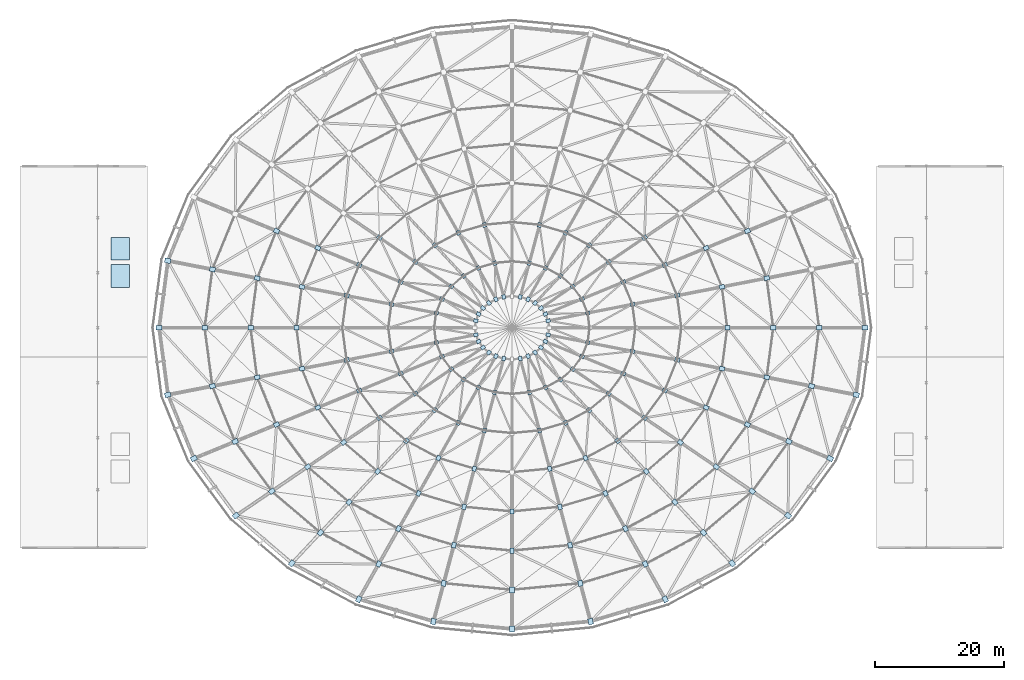
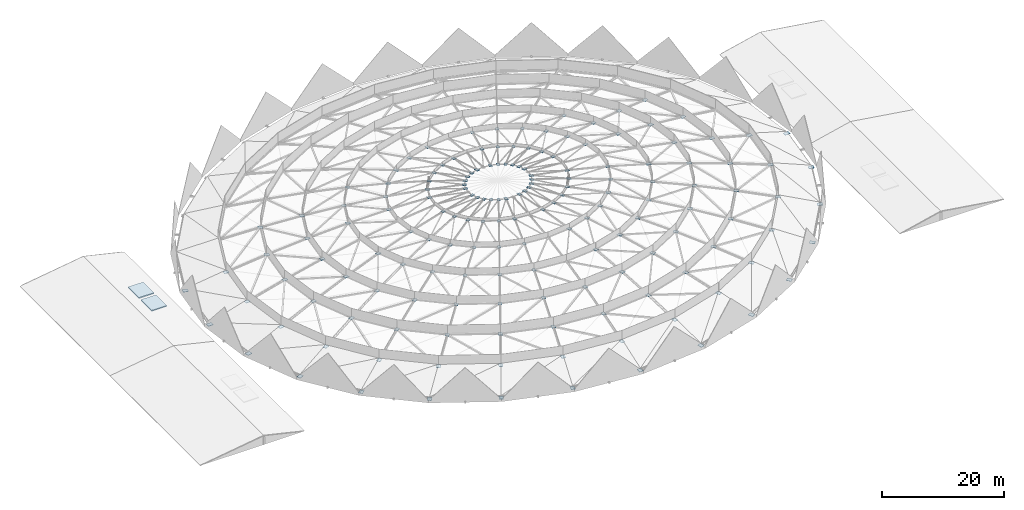
# One storey, part 16 of 27: 160 plates, 2 slabs.
"""IFC4 building model written with IfcOpenShell, lengths in metres."""

from ifc_helpers import new_model, si_unit, direction, frame, origin, origin_2d, place, context, subcontext, project, spatial, polyline, rectangle, outline, extrude, material, layer, layer_set, type_object, element, save


model = new_model("IFC4")

# Units and contexts
model_context = context("Model", 3, precision=1e-05, world=origin(), true_north=direction((0.0, 1.0)))
body_context = subcontext(model_context, "Body", "Model", "MODEL_VIEW")
ifc_project = project(units=[si_unit("LENGTHUNIT", "METRE"), si_unit("AREAUNIT", "SQUARE_METRE"), si_unit("VOLUMEUNIT", "CUBIC_METRE"), si_unit("PLANEANGLEUNIT", "RADIAN"), si_unit("MASSUNIT", "GRAM", prefix="KILO")], contexts=[model_context])

# Site, building, storey
site_placement = place(None, origin())
site = spatial("IfcSite", under=ifc_project, at=site_placement, CompositionType="ELEMENT")
building_placement = place(site_placement, origin())
building = spatial("IfcBuilding", under=site, at=building_placement, Name="Cuetzalor Civic Arena", CompositionType="ELEMENT")
storey_placement = place(building_placement, frame((0.0, 0.0, 31.800048828125)))
storey = spatial("IfcBuildingStorey", under=building, at=storey_placement, Name="Roof", CompositionType="ELEMENT", Elevation=31.800048828125)

# Slabs
ifc_material_1 = material(Name="Concrete C40/50", Category="concrete")
ifc_layer_1 = layer(ifc_material_1, 0.219970703125)
ifc_layer_set_1 = layer_set([ifc_layer_1], Name="Concrete C40/50")
slab_type = type_object("IfcSlabType", Name="LiftShaftRoofCapSlab_220", PredefinedType="ROOF", material=ifc_layer_set_1)
slab_1_placement = place(storey_placement, frame((0.0, 0.0, 1.39990234375)))
element("IfcSlab", 1, at=slab_1_placement, inside=storey, type_object=slab_type, Name="Lift Shaft Overrun Cap Slab LF-02", PredefinedType="ROOF", context=body_context, shape_type="SweptSolid", body=[
    extrude(outline(polyline([(-61.919921875, 6.22998046875), (-59.080078125, 6.22998046875), (-59.080078125, 9.77001953125), (-61.919921875, 9.77001953125), (-61.919921875, 6.22998046875)])), origin(), (0.0, 0.0, 1.0), 0.219970703125),
])
slab_2_placement = place(storey_placement, frame((0.0, 0.0, 1.39990234375)))
element("IfcSlab", 2, at=slab_2_placement, inside=storey, type_object=slab_type, Name="Lift Shaft Overrun Cap Slab LP-04", PredefinedType="ROOF", context=body_context, shape_type="SweptSolid", body=[
    extrude(outline(polyline([(-61.919921875, 10.429931640625), (-59.080078125, 10.429931640625), (-59.080078125, 13.969970703125), (-61.919921875, 13.969970703125), (-61.919921875, 10.429931640625)])), origin(), (0.0, 0.0, 1.0), 0.219970703125),
])

# Plates
ifc_material_2 = material(Name="Steel S355", Category="steel")
ifc_layer_2 = layer(ifc_material_2, 0.06005859375)
ifc_layer_set_2 = layer_set([ifc_layer_2], Name="Steel S355")
plate_type_1 = type_object("IfcPlateType", Name="NodalGussetPlate_GP01", PredefinedType="USERDEFINED", material=ifc_layer_set_2)
for number, where, z_axis, x_axis, name in (
    (3, (54.550048828125, 0.0, -0.030029296875), (0.0, 0.0, 1.0), (1.0, 0.0, 0.0), "Space-Frame Dome Nodal Gusset Hub R0-S01"),
    (4, (-53.182373046875, 10.3583984375, -0.030029296875), (0.0, 0.0, 1.0), (-0.974916814618, 0.222569549971, 0.0), "Space-Frame Dome Nodal Gusset Hub R0-S14"),
    (5, (-54.550048828125, 0.0, -0.030029296875), (0.0, 0.0, 1.0), (-1.0, 0.0, 0.0), "Space-Frame Dome Nodal Gusset Hub R0-S15"),
    (6, (-53.182373046875, -10.3583984375, -0.030029296875), (0.0, 0.0, 1.0), (-0.974916814618, -0.222569549971, 0.0), "Space-Frame Dome Nodal Gusset Hub R0-S16"),
    (7, (-49.14794921875, -20.197265625, -0.030029296875), (0.0, 0.0, 1.0), (-0.90100131981, -0.43381634559, 0.0), "Space-Frame Dome Nodal Gusset Hub R0-S17"),
    (8, (-42.64892578125, -29.0234375, -0.030029296875), (0.0, 0.0, 1.0), (-0.781847027868, -0.623470308046, 0.0), "Space-Frame Dome Nodal Gusset Hub R0-S18"),
    (9, (-34.011474609375, -36.394287109375, -0.030029296875), (0.0, 0.0, 1.0), (-0.623470308046, -0.781847027868, 0.0), "Space-Frame Dome Nodal Gusset Hub R0-S19"),
    (10, (-23.66845703125, -41.940185546875, -0.030029296875), (0.0, 0.0, 1.0), (-0.43381634559, -0.90100131981, 0.0), "Space-Frame Dome Nodal Gusset Hub R0-S20"),
    (11, (-12.138427734375, -45.3828125, -0.030029296875), (0.0, 0.0, 1.0), (-0.222569549971, -0.974916814618, 0.0), "Space-Frame Dome Nodal Gusset Hub R0-S21"),
    (12, (0.0, -46.550048828125, -0.030029296875), (0.0, 0.0, 1.0), (0.0, -1.0, 0.0), "Space-Frame Dome Nodal Gusset Hub R0-S22"),
    (13, (12.138427734375, -45.3828125, -0.030029296875), (0.0, 0.0, 1.0), (0.222569549971, -0.974916814618, 0.0), "Space-Frame Dome Nodal Gusset Hub R0-S23"),
    (14, (23.66845703125, -41.940185546875, -0.030029296875), (0.0, 0.0, 1.0), (0.43381634559, -0.90100131981, 0.0), "Space-Frame Dome Nodal Gusset Hub R0-S24"),
    (15, (34.011474609375, -36.394287109375, -0.030029296875), (0.0, 0.0, 1.0), (0.623470308046, -0.781847027868, 0.0), "Space-Frame Dome Nodal Gusset Hub R0-S25"),
    (16, (42.64892578125, -29.0234375, -0.030029296875), (0.0, 0.0, 1.0), (0.781847027868, -0.623470308046, 0.0), "Space-Frame Dome Nodal Gusset Hub R0-S26"),
    (17, (49.14794921875, -20.197265625, -0.030029296875), (0.0, 0.0, 1.0), (0.90100131981, -0.43381634559, 0.0), "Space-Frame Dome Nodal Gusset Hub R0-S27"),
    (18, (53.182373046875, -10.3583984375, -0.030029296875), (0.0, 0.0, 1.0), (0.974916814618, -0.222569549971, 0.0), "Space-Frame Dome Nodal Gusset Hub R0-S28"),
):
    element("IfcPlate", number, at=place(storey_placement, frame(where, z_axis=z_axis, x_axis=x_axis)), inside=storey, type_object=plate_type_1, Name=name, ObjectType="GUSSET PLATE", PredefinedType="USERDEFINED", context=body_context, shape_type="SweptSolid", body=[
        extrude(rectangle(XDim=0.919921875, YDim=0.739990234375, at=origin_2d()), origin(), (0.0, 0.0, 1.0), 0.06005859375),
    ])
ifc_material_3 = material(Name="Steel S355", Category="steel")
ifc_layer_3 = layer(ifc_material_3, 0.050048828125)
ifc_layer_set_3 = layer_set([ifc_layer_3], Name="Steel S355")
plate_type_2 = type_object("IfcPlateType", Name="NodalGussetPlate_GP02", PredefinedType="USERDEFINED", material=ifc_layer_set_3)
for number, where, z_axis, x_axis, name in (
    (19, (47.45849609375, 0.0, 2.0859375), (0.0, 0.0, 1.0), (1.0, 0.0, 0.0), "Space-Frame Dome Nodal Gusset Hub R1-S01"),
    (20, (-46.2685546875, 9.01171875, 2.0859375), (0.0, 0.0, 1.0), (-0.974916814618, 0.222569549971, 0.0), "Space-Frame Dome Nodal Gusset Hub R1-S14"),
    (21, (-47.45849609375, 0.0, 2.0859375), (0.0, 0.0, 1.0), (-1.0, 0.0, 0.0), "Space-Frame Dome Nodal Gusset Hub R1-S15"),
    (22, (-46.2685546875, -9.01171875, 2.0859375), (0.0, 0.0, 1.0), (-0.974916814618, -0.222569549971, 0.0), "Space-Frame Dome Nodal Gusset Hub R1-S16"),
    (23, (-42.758544921875, -17.571533203125, 2.0859375), (0.0, 0.0, 1.0), (-0.90100131981, -0.43381634559, 0.0), "Space-Frame Dome Nodal Gusset Hub R1-S17"),
    (24, (-37.1044921875, -25.25048828125, 2.0859375), (0.0, 0.0, 1.0), (-0.781847027868, -0.623470308046, 0.0), "Space-Frame Dome Nodal Gusset Hub R1-S18"),
    (25, (-29.58984375, -31.6630859375, 2.0859375), (0.0, 0.0, 1.0), (-0.623470308046, -0.781847027868, 0.0), "Space-Frame Dome Nodal Gusset Hub R1-S19"),
    (26, (-20.591552734375, -36.48779296875, 2.0859375), (0.0, 0.0, 1.0), (-0.43381634559, -0.90100131981, 0.0), "Space-Frame Dome Nodal Gusset Hub R1-S20"),
    (27, (-10.560546875, -39.483154296875, 2.0859375), (0.0, 0.0, 1.0), (-0.222569549971, -0.974916814618, 0.0), "Space-Frame Dome Nodal Gusset Hub R1-S21"),
    (28, (0.0, -40.49853515625, 2.0859375), (0.0, 0.0, 1.0), (0.0, -1.0, 0.0), "Space-Frame Dome Nodal Gusset Hub R1-S22"),
    (29, (10.560546875, -39.483154296875, 2.0859375), (0.0, 0.0, 1.0), (0.222569549971, -0.974916814618, 0.0), "Space-Frame Dome Nodal Gusset Hub R1-S23"),
    (30, (20.591552734375, -36.48779296875, 2.0859375), (0.0, 0.0, 1.0), (0.43381634559, -0.90100131981, 0.0), "Space-Frame Dome Nodal Gusset Hub R1-S24"),
    (31, (29.58984375, -31.6630859375, 2.0859375), (0.0, 0.0, 1.0), (0.623470308046, -0.781847027868, 0.0), "Space-Frame Dome Nodal Gusset Hub R1-S25"),
    (32, (37.1044921875, -25.25048828125, 2.0859375), (0.0, 0.0, 1.0), (0.781847027868, -0.623470308046, 0.0), "Space-Frame Dome Nodal Gusset Hub R1-S26"),
    (33, (42.758544921875, -17.571533203125, 2.0859375), (0.0, 0.0, 1.0), (0.90100131981, -0.43381634559, 0.0), "Space-Frame Dome Nodal Gusset Hub R1-S27"),
    (34, (46.2685546875, -9.01171875, 2.0859375), (0.0, 0.0, 1.0), (0.974916814618, -0.222569549971, 0.0), "Space-Frame Dome Nodal Gusset Hub R1-S28"),
):
    element("IfcPlate", number, at=place(storey_placement, frame(where, z_axis=z_axis, x_axis=x_axis)), inside=storey, type_object=plate_type_2, Name=name, ObjectType="GUSSET PLATE", PredefinedType="USERDEFINED", context=body_context, shape_type="SweptSolid", body=[
        extrude(rectangle(XDim=0.8798828125, YDim=0.699951171875, at=origin_2d()), origin(), (0.0, 0.0, 1.0), 0.050048828125),
    ])
ifc_material_4 = material(Name="Steel S355", Category="steel")
ifc_layer_4 = layer(ifc_material_4, 0.044921875)
ifc_layer_set_4 = layer_set([ifc_layer_4], Name="Steel S355")
plate_type_3 = type_object("IfcPlateType", Name="NodalGussetPlate_GP03", PredefinedType="USERDEFINED", material=ifc_layer_set_4)
for number, where, z_axis, x_axis, name in (
    (35, (40.366943359375, 0.0, 3.982177734375), (0.0, 0.0, 1.0), (1.0, 0.0, 0.0), "Space-Frame Dome Nodal Gusset Hub R2-S01"),
    (36, (39.35498046875, 7.665283203125, 3.982177734375), (0.0, 0.0, 1.0), (0.974916814618, 0.222569549971, 0.0), "Space-Frame Dome Nodal Gusset Hub R2-S02"),
    (37, (36.369384765625, 14.946044921875, 3.982177734375), (0.0, 0.0, 1.0), (0.90100131981, 0.43381634559, 0.0), "Space-Frame Dome Nodal Gusset Hub R2-S03"),
    (38, (-36.369384765625, 14.946044921875, 3.982177734375), (0.0, 0.0, 1.0), (-0.90100131981, 0.43381634559, 0.0), "Space-Frame Dome Nodal Gusset Hub R2-S13"),
    (39, (-39.35498046875, 7.665283203125, 3.982177734375), (0.0, 0.0, 1.0), (-0.974916814618, 0.222569549971, 0.0), "Space-Frame Dome Nodal Gusset Hub R2-S14"),
    (40, (-40.366943359375, 0.0, 3.982177734375), (0.0, 0.0, 1.0), (-1.0, 0.0, 0.0), "Space-Frame Dome Nodal Gusset Hub R2-S15"),
    (41, (-39.35498046875, -7.665283203125, 3.982177734375), (0.0, 0.0, 1.0), (-0.974916814618, -0.222569549971, 0.0), "Space-Frame Dome Nodal Gusset Hub R2-S16"),
    (42, (-36.369384765625, -14.946044921875, 3.982177734375), (0.0, 0.0, 1.0), (-0.90100131981, -0.43381634559, 0.0), "Space-Frame Dome Nodal Gusset Hub R2-S17"),
    (43, (-31.560302734375, -21.477294921875, 3.982177734375), (0.0, 0.0, 1.0), (-0.781847027868, -0.623470308046, 0.0), "Space-Frame Dome Nodal Gusset Hub R2-S18"),
    (44, (-25.16845703125, -26.931640625, 3.982177734375), (0.0, 0.0, 1.0), (-0.623470308046, -0.781847027868, 0.0), "Space-Frame Dome Nodal Gusset Hub R2-S19"),
    (45, (-17.5146484375, -31.03564453125, 3.982177734375), (0.0, 0.0, 1.0), (-0.43381634559, -0.90100131981, 0.0), "Space-Frame Dome Nodal Gusset Hub R2-S20"),
    (46, (-8.982421875, -33.583251953125, 3.982177734375), (0.0, 0.0, 1.0), (-0.222569549971, -0.974916814618, 0.0), "Space-Frame Dome Nodal Gusset Hub R2-S21"),
    (47, (0.0, -34.447021484375, 3.982177734375), (0.0, 0.0, 1.0), (0.0, -1.0, 0.0), "Space-Frame Dome Nodal Gusset Hub R2-S22"),
    (48, (8.982421875, -33.583251953125, 3.982177734375), (0.0, 0.0, 1.0), (0.222569549971, -0.974916814618, 0.0), "Space-Frame Dome Nodal Gusset Hub R2-S23"),
    (49, (17.5146484375, -31.03564453125, 3.982177734375), (0.0, 0.0, 1.0), (0.43381634559, -0.90100131981, 0.0), "Space-Frame Dome Nodal Gusset Hub R2-S24"),
    (50, (25.16845703125, -26.931640625, 3.982177734375), (0.0, 0.0, 1.0), (0.623470308046, -0.781847027868, 0.0), "Space-Frame Dome Nodal Gusset Hub R2-S25"),
    (51, (31.560302734375, -21.477294921875, 3.982177734375), (0.0, 0.0, 1.0), (0.781847027868, -0.623470308046, 0.0), "Space-Frame Dome Nodal Gusset Hub R2-S26"),
    (52, (36.369384765625, -14.946044921875, 3.982177734375), (0.0, 0.0, 1.0), (0.90100131981, -0.43381634559, 0.0), "Space-Frame Dome Nodal Gusset Hub R2-S27"),
    (53, (39.35498046875, -7.665283203125, 3.982177734375), (0.0, 0.0, 1.0), (0.974916814618, -0.222569549971, 0.0), "Space-Frame Dome Nodal Gusset Hub R2-S28"),
):
    element("IfcPlate", number, at=place(storey_placement, frame(where, z_axis=z_axis, x_axis=x_axis)), inside=storey, type_object=plate_type_3, Name=name, ObjectType="GUSSET PLATE", PredefinedType="USERDEFINED", context=body_context, shape_type="SweptSolid", body=[
        extrude(rectangle(XDim=0.840087890625, YDim=0.659912109375, at=origin_2d()), origin(), (0.0, 0.0, 1.0), 0.044921875),
    ])
ifc_material_5 = material(Name="Steel S355", Category="steel")
ifc_layer_5 = layer(ifc_material_5, 0.0400390625)
ifc_layer_set_5 = layer_set([ifc_layer_5], Name="Steel S355")
plate_type_4 = type_object("IfcPlateType", Name="NodalGussetPlate_GP04", PredefinedType="USERDEFINED", material=ifc_layer_set_5)
for number, where, z_axis, x_axis, name in (
    (54, (33.275390625, 0.0, 5.646484375), (0.0, 0.0, 1.0), (1.0, 0.0, 0.0), "Space-Frame Dome Nodal Gusset Hub R3-S01"),
    (55, (32.441162109375, 6.318603515625, 5.646484375), (0.0, 0.0, 1.0), (0.974916814618, 0.222569549971, 0.0), "Space-Frame Dome Nodal Gusset Hub R3-S02"),
    (56, (29.980224609375, 12.3203125, 5.646484375), (0.0, 0.0, 1.0), (0.90100131981, 0.43381634559, 0.0), "Space-Frame Dome Nodal Gusset Hub R3-S03"),
    (57, (-29.980224609375, 12.3203125, 5.646484375), (0.0, 0.0, 1.0), (-0.90100131981, 0.43381634559, 0.0), "Space-Frame Dome Nodal Gusset Hub R3-S13"),
    (58, (-32.441162109375, 6.318603515625, 5.646484375), (0.0, 0.0, 1.0), (-0.974916814618, 0.222569549971, 0.0), "Space-Frame Dome Nodal Gusset Hub R3-S14"),
    (59, (-33.275390625, 0.0, 5.646484375), (0.0, 0.0, 1.0), (-1.0, 0.0, 0.0), "Space-Frame Dome Nodal Gusset Hub R3-S15"),
    (60, (-32.441162109375, -6.318603515625, 5.646484375), (0.0, 0.0, 1.0), (-0.974916814618, -0.222569549971, 0.0), "Space-Frame Dome Nodal Gusset Hub R3-S16"),
    (61, (-29.980224609375, -12.3203125, 5.646484375), (0.0, 0.0, 1.0), (-0.90100131981, -0.43381634559, 0.0), "Space-Frame Dome Nodal Gusset Hub R3-S17"),
    (62, (-26.015869140625, -17.704345703125, 5.646484375), (0.0, 0.0, 1.0), (-0.781847027868, -0.623470308046, 0.0), "Space-Frame Dome Nodal Gusset Hub R3-S18"),
    (63, (-20.746826171875, -22.200439453125, 5.646484375), (0.0, 0.0, 1.0), (-0.623470308046, -0.781847027868, 0.0), "Space-Frame Dome Nodal Gusset Hub R3-S19"),
    (64, (-14.437744140625, -25.58349609375, 5.646484375), (0.0, 0.0, 1.0), (-0.43381634559, -0.90100131981, 0.0), "Space-Frame Dome Nodal Gusset Hub R3-S20"),
    (65, (-7.404541015625, -27.68359375, 5.646484375), (0.0, 0.0, 1.0), (-0.222569549971, -0.974916814618, 0.0), "Space-Frame Dome Nodal Gusset Hub R3-S21"),
    (66, (0.0, -28.3955078125, 5.646484375), (0.0, 0.0, 1.0), (0.0, -1.0, 0.0), "Space-Frame Dome Nodal Gusset Hub R3-S22"),
    (67, (7.404541015625, -27.68359375, 5.646484375), (0.0, 0.0, 1.0), (0.222569549971, -0.974916814618, 0.0), "Space-Frame Dome Nodal Gusset Hub R3-S23"),
    (68, (14.437744140625, -25.58349609375, 5.646484375), (0.0, 0.0, 1.0), (0.43381634559, -0.90100131981, 0.0), "Space-Frame Dome Nodal Gusset Hub R3-S24"),
    (69, (20.746826171875, -22.200439453125, 5.646484375), (0.0, 0.0, 1.0), (0.623470308046, -0.781847027868, 0.0), "Space-Frame Dome Nodal Gusset Hub R3-S25"),
    (70, (26.015869140625, -17.704345703125, 5.646484375), (0.0, 0.0, 1.0), (0.781847027868, -0.623470308046, 0.0), "Space-Frame Dome Nodal Gusset Hub R3-S26"),
    (71, (29.980224609375, -12.3203125, 5.646484375), (0.0, 0.0, 1.0), (0.90100131981, -0.43381634559, 0.0), "Space-Frame Dome Nodal Gusset Hub R3-S27"),
    (72, (32.441162109375, -6.318603515625, 5.646484375), (0.0, 0.0, 1.0), (0.974916814618, -0.222569549971, 0.0), "Space-Frame Dome Nodal Gusset Hub R3-S28"),
):
    element("IfcPlate", number, at=place(storey_placement, frame(where, z_axis=z_axis, x_axis=x_axis)), inside=storey, type_object=plate_type_4, Name=name, ObjectType="GUSSET PLATE", PredefinedType="USERDEFINED", context=body_context, shape_type="SweptSolid", body=[
        extrude(rectangle(XDim=0.800048828125, YDim=0.639892578125, at=origin_2d()), origin(), (0.0, 0.0, 1.0), 0.0400390625),
    ])
ifc_material_6 = material(Name="Steel S355", Category="steel")
ifc_layer_6 = layer(ifc_material_6, 0.034912109375)
ifc_layer_set_6 = layer_set([ifc_layer_6], Name="Steel S355")
plate_type_5 = type_object("IfcPlateType", Name="NodalGussetPlate_GP05", PredefinedType="USERDEFINED", material=ifc_layer_set_6)
for number, where, z_axis, x_axis, name in (
    (73, (25.527587890625, 4.971923828125, 7.06005859375), (0.0, 0.0, 1.0), (0.974916814618, 0.222569549971, 0.0), "Space-Frame Dome Nodal Gusset Hub R4-S02"),
    (74, (23.591064453125, 9.694580078125, 7.06005859375), (0.0, 0.0, 1.0), (0.90100131981, 0.43381634559, 0.0), "Space-Frame Dome Nodal Gusset Hub R4-S03"),
    (75, (20.471435546875, 13.931396484375, 7.06005859375), (0.0, 0.0, 1.0), (0.781847027868, 0.623470308046, 0.0), "Space-Frame Dome Nodal Gusset Hub R4-S04"),
    (76, (-20.471435546875, 13.931396484375, 7.06005859375), (0.0, 0.0, 1.0), (-0.781847027868, 0.623470308046, 0.0), "Space-Frame Dome Nodal Gusset Hub R4-S12"),
    (77, (-23.591064453125, 9.694580078125, 7.06005859375), (0.0, 0.0, 1.0), (-0.90100131981, 0.43381634559, 0.0), "Space-Frame Dome Nodal Gusset Hub R4-S13"),
    (78, (-25.527587890625, 4.971923828125, 7.06005859375), (0.0, 0.0, 1.0), (-0.974916814618, 0.222569549971, 0.0), "Space-Frame Dome Nodal Gusset Hub R4-S14"),
    (79, (-25.527587890625, -4.971923828125, 7.06005859375), (0.0, 0.0, 1.0), (-0.974916814618, -0.222569549971, 0.0), "Space-Frame Dome Nodal Gusset Hub R4-S16"),
    (80, (-23.591064453125, -9.694580078125, 7.06005859375), (0.0, 0.0, 1.0), (-0.90100131981, -0.43381634559, 0.0), "Space-Frame Dome Nodal Gusset Hub R4-S17"),
    (81, (-20.471435546875, -13.931396484375, 7.06005859375), (0.0, 0.0, 1.0), (-0.781847027868, -0.623470308046, 0.0), "Space-Frame Dome Nodal Gusset Hub R4-S18"),
    (82, (-16.325439453125, -17.46923828125, 7.06005859375), (0.0, 0.0, 1.0), (-0.623470308046, -0.781847027868, 0.0), "Space-Frame Dome Nodal Gusset Hub R4-S19"),
    (83, (-11.36083984375, -20.131103515625, 7.06005859375), (0.0, 0.0, 1.0), (-0.43381634559, -0.90100131981, 0.0), "Space-Frame Dome Nodal Gusset Hub R4-S20"),
    (84, (-5.826416015625, -21.78369140625, 7.06005859375), (0.0, 0.0, 1.0), (-0.222569549971, -0.974916814618, 0.0), "Space-Frame Dome Nodal Gusset Hub R4-S21"),
    (85, (5.826416015625, -21.78369140625, 7.06005859375), (0.0, 0.0, 1.0), (0.222569549971, -0.974916814618, 0.0), "Space-Frame Dome Nodal Gusset Hub R4-S23"),
    (86, (11.36083984375, -20.131103515625, 7.06005859375), (0.0, 0.0, 1.0), (0.43381634559, -0.90100131981, 0.0), "Space-Frame Dome Nodal Gusset Hub R4-S24"),
    (87, (16.325439453125, -17.46923828125, 7.06005859375), (0.0, 0.0, 1.0), (0.623470308046, -0.781847027868, 0.0), "Space-Frame Dome Nodal Gusset Hub R4-S25"),
    (88, (20.471435546875, -13.931396484375, 7.06005859375), (0.0, 0.0, 1.0), (0.781847027868, -0.623470308046, 0.0), "Space-Frame Dome Nodal Gusset Hub R4-S26"),
    (89, (23.591064453125, -9.694580078125, 7.06005859375), (0.0, 0.0, 1.0), (0.90100131981, -0.43381634559, 0.0), "Space-Frame Dome Nodal Gusset Hub R4-S27"),
    (90, (25.527587890625, -4.971923828125, 7.06005859375), (0.0, 0.0, 1.0), (0.974916814618, -0.222569549971, 0.0), "Space-Frame Dome Nodal Gusset Hub R4-S28"),
):
    element("IfcPlate", number, at=place(storey_placement, frame(where, z_axis=z_axis, x_axis=x_axis)), inside=storey, type_object=plate_type_5, Name=name, ObjectType="GUSSET PLATE", PredefinedType="USERDEFINED", context=body_context, shape_type="SweptSolid", body=[
        extrude(rectangle(XDim=0.760009765625, YDim=0.60009765625, at=origin_2d()), origin(), (0.0, 0.0, 1.0), 0.034912109375),
    ])
ifc_material_7 = material(Name="Steel S355", Category="steel")
ifc_layer_7 = layer(ifc_material_7, 0.030029296875)
ifc_layer_set_7 = layer_set([ifc_layer_7], Name="Steel S355")
plate_type_6 = type_object("IfcPlateType", Name="NodalGussetPlate_GP06", PredefinedType="USERDEFINED", material=ifc_layer_set_7)
for number, where, z_axis, x_axis, name in (
    (91, (18.61376953125, 3.62548828125, 8.1953125), (0.0, 0.0, 1.0), (0.974916814618, 0.222569549971, 0.0), "Space-Frame Dome Nodal Gusset Hub R5-S02"),
    (92, (17.20166015625, 7.069091796875, 8.1953125), (0.0, 0.0, 1.0), (0.90100131981, 0.43381634559, 0.0), "Space-Frame Dome Nodal Gusset Hub R5-S03"),
    (93, (14.927001953125, 10.158203125, 8.1953125), (0.0, 0.0, 1.0), (0.781847027868, 0.623470308046, 0.0), "Space-Frame Dome Nodal Gusset Hub R5-S04"),
    (94, (11.904052734375, 12.738037109375, 8.1953125), (0.0, 0.0, 1.0), (0.623470308046, 0.781847027868, 0.0), "Space-Frame Dome Nodal Gusset Hub R5-S05"),
    (95, (8.283935546875, 14.678955078125, 8.1953125), (0.0, 0.0, 1.0), (0.43381634559, 0.90100131981, 0.0), "Space-Frame Dome Nodal Gusset Hub R5-S06"),
    (96, (4.24853515625, 15.884033203125, 8.1953125), (0.0, 0.0, 1.0), (0.222569549971, 0.974916814618, 0.0), "Space-Frame Dome Nodal Gusset Hub R5-S07"),
    (97, (-4.24853515625, 15.884033203125, 8.1953125), (0.0, 0.0, 1.0), (-0.222569549971, 0.974916814618, 0.0), "Space-Frame Dome Nodal Gusset Hub R5-S09"),
    (98, (-8.283935546875, 14.678955078125, 8.1953125), (0.0, 0.0, 1.0), (-0.43381634559, 0.90100131981, 0.0), "Space-Frame Dome Nodal Gusset Hub R5-S10"),
    (99, (-11.904052734375, 12.738037109375, 8.1953125), (0.0, 0.0, 1.0), (-0.623470308046, 0.781847027868, 0.0), "Space-Frame Dome Nodal Gusset Hub R5-S11"),
    (100, (-14.927001953125, 10.158203125, 8.1953125), (0.0, 0.0, 1.0), (-0.781847027868, 0.623470308046, 0.0), "Space-Frame Dome Nodal Gusset Hub R5-S12"),
    (101, (-17.20166015625, 7.069091796875, 8.1953125), (0.0, 0.0, 1.0), (-0.90100131981, 0.43381634559, 0.0), "Space-Frame Dome Nodal Gusset Hub R5-S13"),
    (102, (-18.61376953125, 3.62548828125, 8.1953125), (0.0, 0.0, 1.0), (-0.974916814618, 0.222569549971, 0.0), "Space-Frame Dome Nodal Gusset Hub R5-S14"),
    (103, (-18.61376953125, -3.62548828125, 8.1953125), (0.0, 0.0, 1.0), (-0.974916814618, -0.222569549971, 0.0), "Space-Frame Dome Nodal Gusset Hub R5-S16"),
    (104, (-17.20166015625, -7.069091796875, 8.1953125), (0.0, 0.0, 1.0), (-0.90100131981, -0.43381634559, 0.0), "Space-Frame Dome Nodal Gusset Hub R5-S17"),
    (105, (-14.927001953125, -10.158203125, 8.1953125), (0.0, 0.0, 1.0), (-0.781847027868, -0.623470308046, 0.0), "Space-Frame Dome Nodal Gusset Hub R5-S18"),
    (106, (-11.904052734375, -12.738037109375, 8.1953125), (0.0, 0.0, 1.0), (-0.623470308046, -0.781847027868, 0.0), "Space-Frame Dome Nodal Gusset Hub R5-S19"),
    (107, (-8.283935546875, -14.678955078125, 8.1953125), (0.0, 0.0, 1.0), (-0.43381634559, -0.90100131981, 0.0), "Space-Frame Dome Nodal Gusset Hub R5-S20"),
    (108, (-4.24853515625, -15.884033203125, 8.1953125), (0.0, 0.0, 1.0), (-0.222569549971, -0.974916814618, 0.0), "Space-Frame Dome Nodal Gusset Hub R5-S21"),
    (109, (4.24853515625, -15.884033203125, 8.1953125), (0.0, 0.0, 1.0), (0.222569549971, -0.974916814618, 0.0), "Space-Frame Dome Nodal Gusset Hub R5-S23"),
    (110, (8.283935546875, -14.678955078125, 8.1953125), (0.0, 0.0, 1.0), (0.43381634559, -0.90100131981, 0.0), "Space-Frame Dome Nodal Gusset Hub R5-S24"),
    (111, (11.904052734375, -12.738037109375, 8.1953125), (0.0, 0.0, 1.0), (0.623470308046, -0.781847027868, 0.0), "Space-Frame Dome Nodal Gusset Hub R5-S25"),
    (112, (14.927001953125, -10.158203125, 8.1953125), (0.0, 0.0, 1.0), (0.781847027868, -0.623470308046, 0.0), "Space-Frame Dome Nodal Gusset Hub R5-S26"),
    (113, (17.20166015625, -7.069091796875, 8.1953125), (0.0, 0.0, 1.0), (0.90100131981, -0.43381634559, 0.0), "Space-Frame Dome Nodal Gusset Hub R5-S27"),
    (114, (18.61376953125, -3.62548828125, 8.1953125), (0.0, 0.0, 1.0), (0.974916814618, -0.222569549971, 0.0), "Space-Frame Dome Nodal Gusset Hub R5-S28"),
):
    element("IfcPlate", number, at=place(storey_placement, frame(where, z_axis=z_axis, x_axis=x_axis)), inside=storey, type_object=plate_type_6, Name=name, ObjectType="GUSSET PLATE", PredefinedType="USERDEFINED", context=body_context, shape_type="SweptSolid", body=[
        extrude(rectangle(XDim=0.719970703125, YDim=0.56005859375, at=origin_2d()), origin(), (0.0, 0.0, 1.0), 0.030029296875),
    ])
ifc_material_8 = material(Name="Steel S355", Category="steel")
ifc_layer_8 = layer(ifc_material_8, 0.02490234375)
ifc_layer_set_8 = layer_set([ifc_layer_8], Name="Steel S355")
plate_type_7 = type_object("IfcPlateType", Name="NodalGussetPlate_GP07", PredefinedType="USERDEFINED", material=ifc_layer_set_8)
for number, where, z_axis, x_axis, name in (
    (115, (11.7001953125, 2.27880859375, 9.00830078125), (0.0, 0.0, 1.0), (0.974916814618, 0.222569549971, 0.0), "Space-Frame Dome Nodal Gusset Hub R6-S02"),
    (116, (10.8125, 4.443359375, 9.00830078125), (0.0, 0.0, 1.0), (0.90100131981, 0.43381634559, 0.0), "Space-Frame Dome Nodal Gusset Hub R6-S03"),
    (117, (9.3828125, 6.38525390625, 9.00830078125), (0.0, 0.0, 1.0), (0.781847027868, 0.623470308046, 0.0), "Space-Frame Dome Nodal Gusset Hub R6-S04"),
    (118, (7.482421875, 8.006591796875, 9.00830078125), (0.0, 0.0, 1.0), (0.623470308046, 0.781847027868, 0.0), "Space-Frame Dome Nodal Gusset Hub R6-S05"),
    (119, (5.20703125, 9.226806640625, 9.00830078125), (0.0, 0.0, 1.0), (0.43381634559, 0.90100131981, 0.0), "Space-Frame Dome Nodal Gusset Hub R6-S06"),
    (120, (2.67041015625, 9.984130859375, 9.00830078125), (0.0, 0.0, 1.0), (0.222569549971, 0.974916814618, 0.0), "Space-Frame Dome Nodal Gusset Hub R6-S07"),
    (121, (-2.67041015625, 9.984130859375, 9.00830078125), (0.0, 0.0, 1.0), (-0.222569549971, 0.974916814618, 0.0), "Space-Frame Dome Nodal Gusset Hub R6-S09"),
    (122, (-5.20703125, 9.226806640625, 9.00830078125), (0.0, 0.0, 1.0), (-0.43381634559, 0.90100131981, 0.0), "Space-Frame Dome Nodal Gusset Hub R6-S10"),
    (123, (-7.482421875, 8.006591796875, 9.00830078125), (0.0, 0.0, 1.0), (-0.623470308046, 0.781847027868, 0.0), "Space-Frame Dome Nodal Gusset Hub R6-S11"),
    (124, (-9.3828125, 6.38525390625, 9.00830078125), (0.0, 0.0, 1.0), (-0.781847027868, 0.623470308046, 0.0), "Space-Frame Dome Nodal Gusset Hub R6-S12"),
    (125, (-10.8125, 4.443359375, 9.00830078125), (0.0, 0.0, 1.0), (-0.90100131981, 0.43381634559, 0.0), "Space-Frame Dome Nodal Gusset Hub R6-S13"),
    (126, (-11.7001953125, 2.27880859375, 9.00830078125), (0.0, 0.0, 1.0), (-0.974916814618, 0.222569549971, 0.0), "Space-Frame Dome Nodal Gusset Hub R6-S14"),
    (127, (-11.7001953125, -2.27880859375, 9.00830078125), (0.0, 0.0, 1.0), (-0.974916814618, -0.222569549971, 0.0), "Space-Frame Dome Nodal Gusset Hub R6-S16"),
    (128, (-10.8125, -4.443359375, 9.00830078125), (0.0, 0.0, 1.0), (-0.90100131981, -0.43381634559, 0.0), "Space-Frame Dome Nodal Gusset Hub R6-S17"),
    (129, (-9.3828125, -6.38525390625, 9.00830078125), (0.0, 0.0, 1.0), (-0.781847027868, -0.623470308046, 0.0), "Space-Frame Dome Nodal Gusset Hub R6-S18"),
    (130, (-7.482421875, -8.006591796875, 9.00830078125), (0.0, 0.0, 1.0), (-0.623470308046, -0.781847027868, 0.0), "Space-Frame Dome Nodal Gusset Hub R6-S19"),
    (131, (-5.20703125, -9.226806640625, 9.00830078125), (0.0, 0.0, 1.0), (-0.43381634559, -0.90100131981, 0.0), "Space-Frame Dome Nodal Gusset Hub R6-S20"),
    (132, (-2.67041015625, -9.984130859375, 9.00830078125), (0.0, 0.0, 1.0), (-0.222569549971, -0.974916814618, 0.0), "Space-Frame Dome Nodal Gusset Hub R6-S21"),
    (133, (2.67041015625, -9.984130859375, 9.00830078125), (0.0, 0.0, 1.0), (0.222569549971, -0.974916814618, 0.0), "Space-Frame Dome Nodal Gusset Hub R6-S23"),
    (134, (5.20703125, -9.226806640625, 9.00830078125), (0.0, 0.0, 1.0), (0.43381634559, -0.90100131981, 0.0), "Space-Frame Dome Nodal Gusset Hub R6-S24"),
    (135, (7.482421875, -8.006591796875, 9.00830078125), (0.0, 0.0, 1.0), (0.623470308046, -0.781847027868, 0.0), "Space-Frame Dome Nodal Gusset Hub R6-S25"),
    (136, (9.3828125, -6.38525390625, 9.00830078125), (0.0, 0.0, 1.0), (0.781847027868, -0.623470308046, 0.0), "Space-Frame Dome Nodal Gusset Hub R6-S26"),
    (137, (10.8125, -4.443359375, 9.00830078125), (0.0, 0.0, 1.0), (0.90100131981, -0.43381634559, 0.0), "Space-Frame Dome Nodal Gusset Hub R6-S27"),
    (138, (11.7001953125, -2.27880859375, 9.00830078125), (0.0, 0.0, 1.0), (0.974916814618, -0.222569549971, 0.0), "Space-Frame Dome Nodal Gusset Hub R6-S28"),
    (139, (5.583984375, 1.087646484375, 9.387451171875), (0.0, 0.0, 1.0), (0.974916814618, 0.222569549971, 0.0), "Space-Frame Dome Nodal Gusset Hub R7-S02"),
    (140, (5.160400390625, 2.12060546875, 9.387451171875), (0.0, 0.0, 1.0), (0.90100131981, 0.43381634559, 0.0), "Space-Frame Dome Nodal Gusset Hub R7-S03"),
    (141, (4.47802734375, 3.047607421875, 9.387451171875), (0.0, 0.0, 1.0), (0.781847027868, 0.623470308046, 0.0), "Space-Frame Dome Nodal Gusset Hub R7-S04"),
    (142, (3.5712890625, 3.8212890625, 9.387451171875), (0.0, 0.0, 1.0), (0.623470308046, 0.781847027868, 0.0), "Space-Frame Dome Nodal Gusset Hub R7-S05"),
    (143, (2.485107421875, 4.40380859375, 9.387451171875), (0.0, 0.0, 1.0), (0.43381634559, 0.90100131981, 0.0), "Space-Frame Dome Nodal Gusset Hub R7-S06"),
    (144, (1.2744140625, 4.76513671875, 9.387451171875), (0.0, 0.0, 1.0), (0.222569549971, 0.974916814618, 0.0), "Space-Frame Dome Nodal Gusset Hub R7-S07"),
    (145, (-1.2744140625, 4.76513671875, 9.387451171875), (0.0, 0.0, 1.0), (-0.222569549971, 0.974916814618, 0.0), "Space-Frame Dome Nodal Gusset Hub R7-S09"),
    (146, (-2.485107421875, 4.40380859375, 9.387451171875), (0.0, 0.0, 1.0), (-0.43381634559, 0.90100131981, 0.0), "Space-Frame Dome Nodal Gusset Hub R7-S10"),
    (147, (-3.5712890625, 3.8212890625, 9.387451171875), (0.0, 0.0, 1.0), (-0.623470308046, 0.781847027868, 0.0), "Space-Frame Dome Nodal Gusset Hub R7-S11"),
    (148, (-4.47802734375, 3.047607421875, 9.387451171875), (0.0, 0.0, 1.0), (-0.781847027868, 0.623470308046, 0.0), "Space-Frame Dome Nodal Gusset Hub R7-S12"),
    (149, (-5.160400390625, 2.12060546875, 9.387451171875), (0.0, 0.0, 1.0), (-0.90100131981, 0.43381634559, 0.0), "Space-Frame Dome Nodal Gusset Hub R7-S13"),
    (150, (-5.583984375, 1.087646484375, 9.387451171875), (0.0, 0.0, 1.0), (-0.974916814618, 0.222569549971, 0.0), "Space-Frame Dome Nodal Gusset Hub R7-S14"),
    (151, (-5.583984375, -1.087646484375, 9.387451171875), (0.0, 0.0, 1.0), (-0.974916814618, -0.222569549971, 0.0), "Space-Frame Dome Nodal Gusset Hub R7-S16"),
    (152, (-5.160400390625, -2.12060546875, 9.387451171875), (0.0, 0.0, 1.0), (-0.90100131981, -0.43381634559, 0.0), "Space-Frame Dome Nodal Gusset Hub R7-S17"),
    (153, (-4.47802734375, -3.047607421875, 9.387451171875), (0.0, 0.0, 1.0), (-0.781847027868, -0.623470308046, 0.0), "Space-Frame Dome Nodal Gusset Hub R7-S18"),
    (154, (-3.5712890625, -3.8212890625, 9.387451171875), (0.0, 0.0, 1.0), (-0.623470308046, -0.781847027868, 0.0), "Space-Frame Dome Nodal Gusset Hub R7-S19"),
    (155, (-2.485107421875, -4.40380859375, 9.387451171875), (0.0, 0.0, 1.0), (-0.43381634559, -0.90100131981, 0.0), "Space-Frame Dome Nodal Gusset Hub R7-S20"),
    (156, (-1.2744140625, -4.76513671875, 9.387451171875), (0.0, 0.0, 1.0), (-0.222569549971, -0.974916814618, 0.0), "Space-Frame Dome Nodal Gusset Hub R7-S21"),
    (157, (1.2744140625, -4.76513671875, 9.387451171875), (0.0, 0.0, 1.0), (0.222569549971, -0.974916814618, 0.0), "Space-Frame Dome Nodal Gusset Hub R7-S23"),
    (158, (2.485107421875, -4.40380859375, 9.387451171875), (0.0, 0.0, 1.0), (0.43381634559, -0.90100131981, 0.0), "Space-Frame Dome Nodal Gusset Hub R7-S24"),
    (159, (3.5712890625, -3.8212890625, 9.387451171875), (0.0, 0.0, 1.0), (0.623470308046, -0.781847027868, 0.0), "Space-Frame Dome Nodal Gusset Hub R7-S25"),
    (160, (4.47802734375, -3.047607421875, 9.387451171875), (0.0, 0.0, 1.0), (0.781847027868, -0.623470308046, 0.0), "Space-Frame Dome Nodal Gusset Hub R7-S26"),
    (161, (5.160400390625, -2.12060546875, 9.387451171875), (0.0, 0.0, 1.0), (0.90100131981, -0.43381634559, 0.0), "Space-Frame Dome Nodal Gusset Hub R7-S27"),
    (162, (5.583984375, -1.087646484375, 9.387451171875), (0.0, 0.0, 1.0), (0.974916814618, -0.222569549971, 0.0), "Space-Frame Dome Nodal Gusset Hub R7-S28"),
):
    element("IfcPlate", number, at=place(storey_placement, frame(where, z_axis=z_axis, x_axis=x_axis)), inside=storey, type_object=plate_type_7, Name=name, ObjectType="GUSSET PLATE", PredefinedType="USERDEFINED", context=body_context, shape_type="SweptSolid", body=[
        extrude(rectangle(XDim=0.679931640625, YDim=0.5400390625, at=origin_2d()), origin(), (0.0, 0.0, 1.0), 0.02490234375),
    ])

save(model, "model.ifc")
